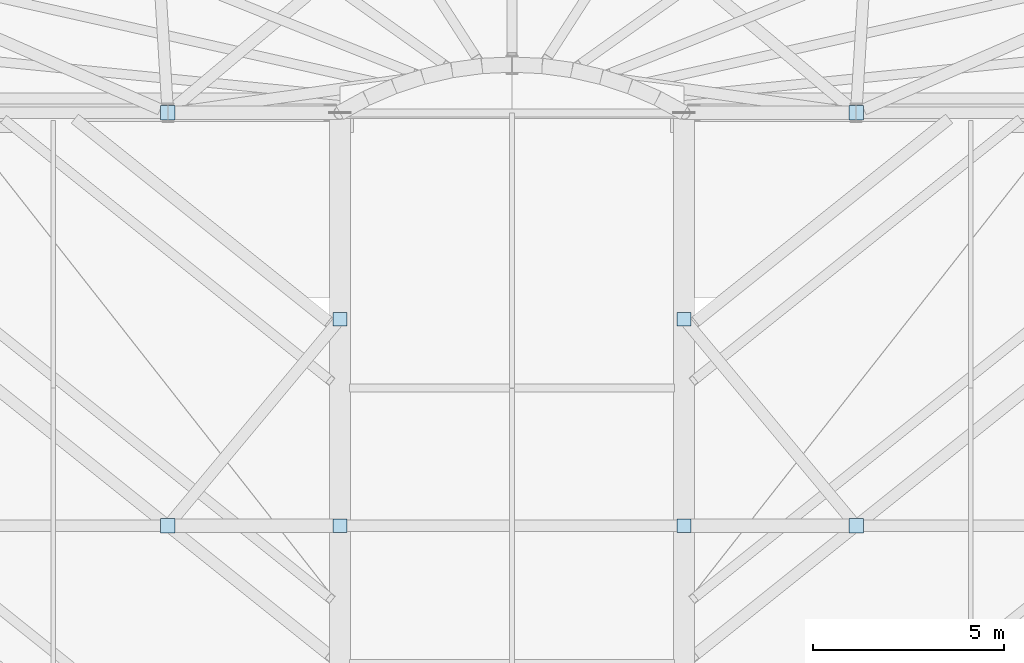
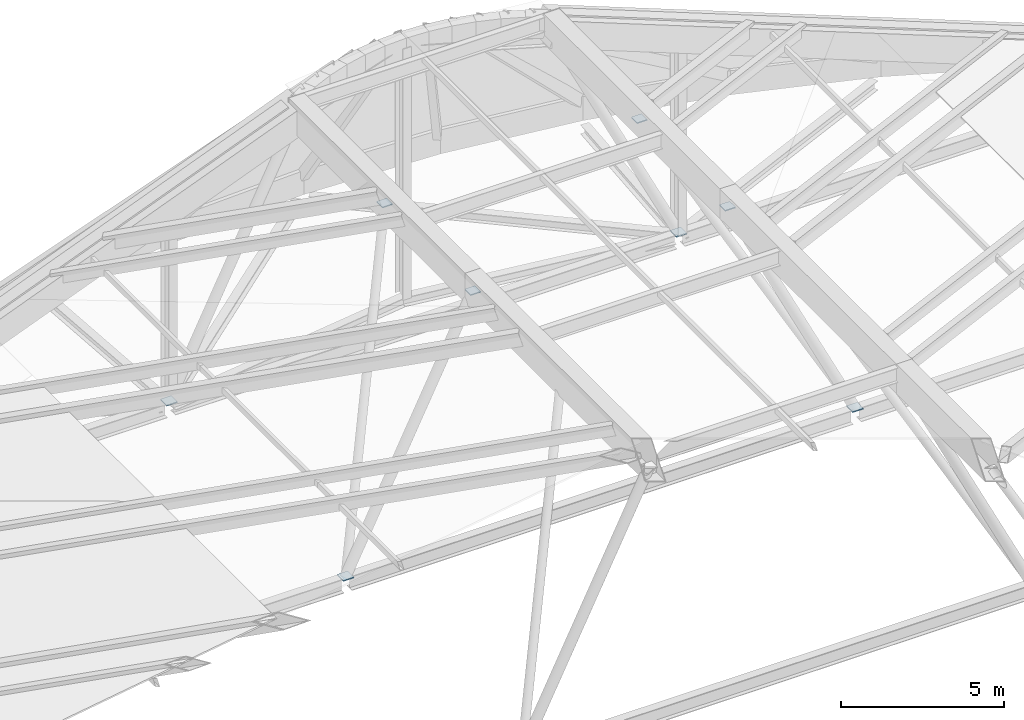
# One storey, part 91 of 110: 8 plates.
"""IFC4 building model written with IfcOpenShell, lengths in metres."""

from ifc_helpers import new_model, si_unit, direction, frame, origin, origin_2d, place, context, subcontext, project, spatial, rectangle, extrude, material, layer, layer_set, type_object, element, save


model = new_model("IFC4")

# Units and contexts
model_context = context("Model", 3, precision=1e-05, world=origin(), true_north=direction((0.0, 1.0)))
body_context = subcontext(model_context, "Body", "Model", "MODEL_VIEW")
ifc_project = project(units=[si_unit("LENGTHUNIT", "METRE"), si_unit("AREAUNIT", "SQUARE_METRE"), si_unit("VOLUMEUNIT", "CUBIC_METRE"), si_unit("PLANEANGLEUNIT", "RADIAN"), si_unit("MASSUNIT", "GRAM", prefix="KILO")], contexts=[model_context])

# Site, building, storey
site_placement = place(None, origin())
site = spatial("IfcSite", under=ifc_project, at=site_placement, CompositionType="ELEMENT")
building_placement = place(site_placement, origin())
building = spatial("IfcBuilding", under=site, at=building_placement, Name="Tamarisk Ironworks Central Station", CompositionType="ELEMENT")
storey_placement = place(building_placement, frame((0.0, 0.0, 17.39990234375)))
storey = spatial("IfcBuildingStorey", under=building, at=storey_placement, Name="L03", CompositionType="ELEMENT", Elevation=17.39990234375)

# Plates
ifc_material = material(Name="Structural steel S355J2", Category="steel")
ifc_layer = layer(ifc_material, 0.0380859375)
ifc_layer_set = layer_set([ifc_layer], Name="Structural steel S355J2")
plate_type = type_object("IfcPlateType", Name="PL-ND38", PredefinedType="SHEET", material=ifc_layer_set)
plate_1_placement = place(storey_placement, frame((76.5, 106.199951171875, 7.43115234375), z_axis=(0.0, 0.0, 1.0), x_axis=(1.0, 0.0, 0.0)))
element("IfcPlate", 1, at=plate_1_placement, inside=storey, type_object=plate_type, Name="Concourse spine diagonal V-strut top gusset 049", PredefinedType="SHEET", context=body_context, shape_type="SweptSolid", body=[
    extrude(rectangle(XDim=0.360107421875, YDim=0.360107421875, at=origin_2d()), origin(), (0.0, 0.0, 1.0), 0.0380859375),
])
plate_2_placement = place(storey_placement, frame((72.0, 100.800048828125, -1.658935546875), z_axis=(0.0, 0.0, 1.0), x_axis=(1.0, 0.0, 0.0)))
element("IfcPlate", 2, at=plate_2_placement, inside=storey, type_object=plate_type, Name="Concourse V-strut base pin gusset 050", PredefinedType="SHEET", context=body_context, shape_type="SweptSolid", body=[
    extrude(rectangle(XDim=0.3798828125, YDim=0.3798828125, at=origin_2d()), origin(), (0.0, 0.0, 1.0), 0.0380859375),
])
for number, where, z_axis, x_axis, name in (
    (3, (76.5, 100.800048828125, 7.43115234375), (0.0, 0.0, 1.0), (1.0, 0.0, 0.0), "Concourse V-strut spine gusset 051"),
    (4, (85.5, 106.199951171875, 7.43115234375), (0.0, 0.0, 1.0), (1.0, 0.0, 0.0), "Concourse spine diagonal V-strut top gusset 052"),
):
    element("IfcPlate", number, at=place(storey_placement, frame(where, z_axis=z_axis, x_axis=x_axis)), inside=storey, type_object=plate_type, Name=name, PredefinedType="SHEET", context=body_context, shape_type="SweptSolid", body=[
        extrude(rectangle(XDim=0.360107421875, YDim=0.360107421875, at=origin_2d()), origin(), (0.0, 0.0, 1.0), 0.0380859375),
    ])
plate_3_placement = place(storey_placement, frame((90.0, 100.800048828125, -1.658935546875), z_axis=(0.0, 0.0, 1.0), x_axis=(1.0, 0.0, 0.0)))
element("IfcPlate", 5, at=plate_3_placement, inside=storey, type_object=plate_type, Name="Concourse V-strut base pin gusset 053", PredefinedType="SHEET", context=body_context, shape_type="SweptSolid", body=[
    extrude(rectangle(XDim=0.3798828125, YDim=0.3798828125, at=origin_2d()), origin(), (0.0, 0.0, 1.0), 0.0380859375),
])
plate_4_placement = place(storey_placement, frame((85.5, 100.800048828125, 7.43115234375), z_axis=(0.0, 0.0, 1.0), x_axis=(1.0, 0.0, 0.0)))
element("IfcPlate", 6, at=plate_4_placement, inside=storey, type_object=plate_type, Name="Concourse V-strut spine gusset 054", PredefinedType="SHEET", context=body_context, shape_type="SweptSolid", body=[
    extrude(rectangle(XDim=0.360107421875, YDim=0.360107421875, at=origin_2d()), origin(), (0.0, 0.0, 1.0), 0.0380859375),
])
for number, where, z_axis, x_axis, name in (
    (7, (72.0, 111.60009765625, -1.658935546875), (0.0, 0.0, 1.0), (1.0, 0.0, 0.0), "Concourse V-strut base pin gusset 055"),
    (8, (90.0, 111.60009765625, -1.658935546875), (0.0, 0.0, 1.0), (1.0, 0.0, 0.0), "Concourse V-strut base pin gusset 056"),
):
    element("IfcPlate", number, at=place(storey_placement, frame(where, z_axis=z_axis, x_axis=x_axis)), inside=storey, type_object=plate_type, Name=name, PredefinedType="SHEET", context=body_context, shape_type="SweptSolid", body=[
        extrude(rectangle(XDim=0.3798828125, YDim=0.3798828125, at=origin_2d()), origin(), (0.0, 0.0, 1.0), 0.0380859375),
    ])

save(model, "model.ifc")
